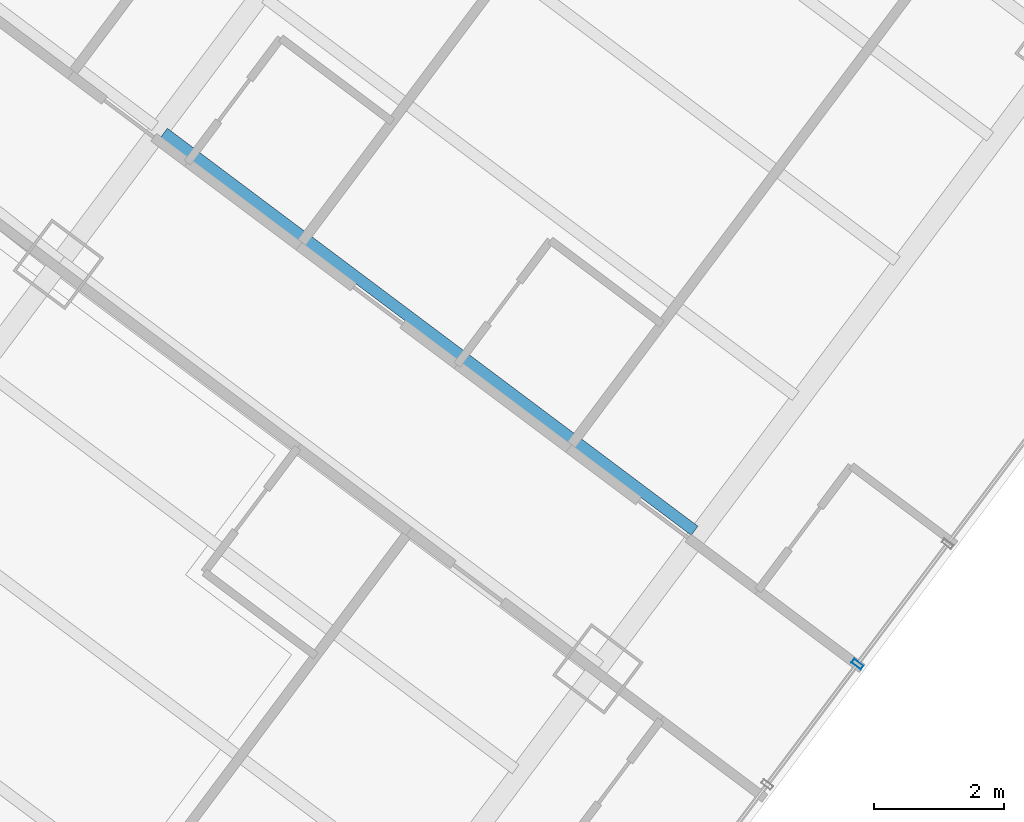
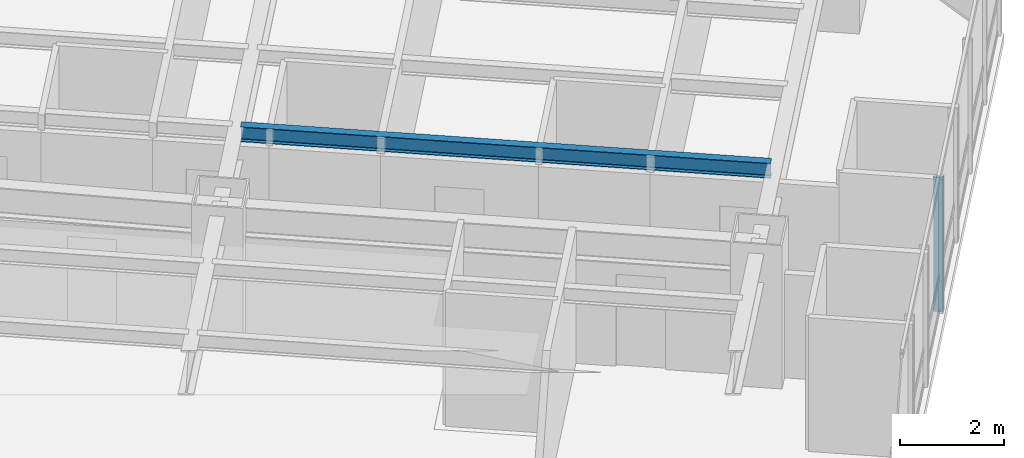
# One storey, part 10 of 32: 1 beam, 1 member, 1 element without a shape of its own.
"""IFC4 building model written with IfcOpenShell, lengths in metres."""

from ifc_helpers import new_model, si_unit, direction, frame, origin, origin_2d, place, context, subcontext, project, spatial, hollow_rectangle, i_section, extrude, material, layer, layer_set, material_profile, profile_set, type_object, element, aggregate, save


model = new_model("IFC4")

# Units and contexts
model_context = context("Model", 3, precision=1e-05, world=origin(), true_north=direction((0.0, 1.0)))
body_context = subcontext(model_context, "Body", "Model", "MODEL_VIEW")
ifc_project = project(units=[si_unit("LENGTHUNIT", "METRE"), si_unit("AREAUNIT", "SQUARE_METRE"), si_unit("VOLUMEUNIT", "CUBIC_METRE"), si_unit("PLANEANGLEUNIT", "RADIAN"), si_unit("MASSUNIT", "GRAM", prefix="KILO")], contexts=[model_context])

# Site, building, storey
site_placement = place(None, origin())
site = spatial("IfcSite", under=ifc_project, at=site_placement, CompositionType="ELEMENT")
building_placement = place(site_placement, origin())
building = spatial("IfcBuilding", under=site, at=building_placement, Name="Hatsunagi Terrace Concourse", CompositionType="ELEMENT")
storey_placement = place(building_placement, frame((0.0, 0.0, 46.64990234375)))
storey = spatial("IfcBuildingStorey", under=building, at=storey_placement, Name="L11", CompositionType="ELEMENT", Elevation=46.64990234375)

# Curtain wall, member
ifc_material_1 = material(Name="Anodised Aluminium Alloy 6063-T5", Category="aluminium")
ifc_layer = layer(ifc_material_1, 0.199951171875)
ifc_layer_set = layer_set([ifc_layer], Name="HotelFacade_CW02")
curtain_wall_type = type_object("IfcCurtainWallType", Name="HotelFacade_CW02", PredefinedType="NOTDEFINED", material=ifc_layer_set)
curtain_wall_placement = place(storey_placement, origin())
curtain_wall = element("IfcCurtainWall", 1, at=curtain_wall_placement, inside=storey, type_object=curtain_wall_type, Name="Unitised Curtain Wall CW-02 CW-L11-03", PredefinedType="NOTDEFINED")
ifc_material_2 = material(Name="Anodised Aluminium Alloy 6063-T5", Category="aluminium")
ifc_material_profile_1 = material_profile(ifc_material_2, hollow_rectangle(XDim=0.070068359375, YDim=0.179931640625, WallThickness=0.00390625, at=origin_2d()), Name="ALU-MUL-180x70x4")
ifc_profile_set_1 = profile_set([ifc_material_profile_1], Name="Anodised Aluminium Alloy 6063-T5")
member_type = type_object("IfcMemberType", Name="CurtainWallMullion_180x70", PredefinedType="MULLION", material=ifc_profile_set_1)
member_placement = place(storey_placement, frame((63.52392578125, 12.23193359375, 0.0), z_axis=(0.0, 0.0, 1.0), x_axis=(-0.599969314634, -0.800023013105, 0.0)))
member = element("IfcMember", 2, at=member_placement, type_object=member_type, Name="Curtain Wall Mullion MUL-02", PredefinedType="MULLION", context=body_context, shape_type="SweptSolid", body=[
    extrude(hollow_rectangle(XDim=0.070068359375, YDim=0.179931640625, WallThickness=0.00390625, at=origin_2d()), origin(), (0.0, 0.0, 1.0), 3.130126953125),
])
aggregate(curtain_wall, [member])

# Beam
ifc_material_3 = material(Name="Steel SN490B", Category="steel")
ifc_material_profile_2 = material_profile(ifc_material_3, i_section(OverallWidth=0.175048828125, OverallDepth=0.35009765625, WebThickness=0.007080078125, FlangeThickness=0.010986328125, FilletRadius=0.012939453125, at=origin_2d()), Name="H-350x175x7x11")
ifc_profile_set_2 = profile_set([ifc_material_profile_2], Name="Steel SN490B")
beam_type = type_object("IfcBeamType", Name="HotelJoist_H_350x175", PredefinedType="JOIST", material=ifc_profile_set_2)
beam_placement = place(storey_placement, frame((52.827880859375, 20.428955078125, 2.955078125), z_axis=(0.800005727586, -0.599992363142, 0.0), x_axis=(0.599992363142, 0.800005727586, 0.0)))
element("IfcBeam", 3, at=beam_placement, inside=storey, type_object=beam_type, Name="Beam J-02 J-L11-SE-3-142", PredefinedType="JOIST", context=body_context, shape_type="SweptSolid", body=[
    extrude(i_section(OverallWidth=0.175048828125, OverallDepth=0.35009765625, WebThickness=0.007080078125, FlangeThickness=0.010986328125, FilletRadius=0.012939453125, at=origin_2d()), origin(), (0.0, 0.0, 1.0), 10.22998046875),
])

save(model, "model.ifc")
